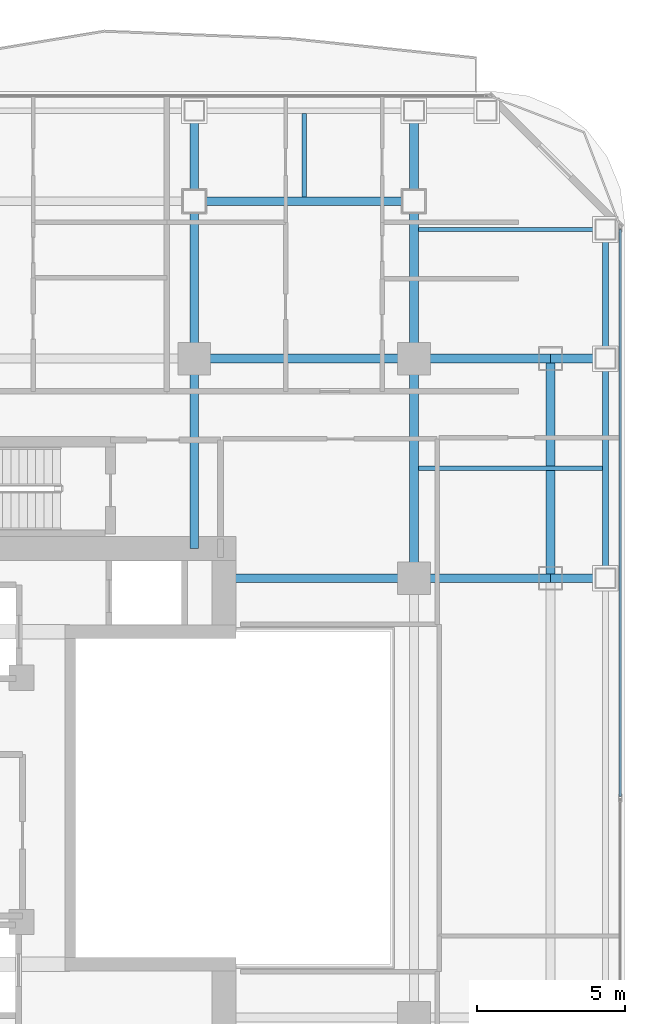
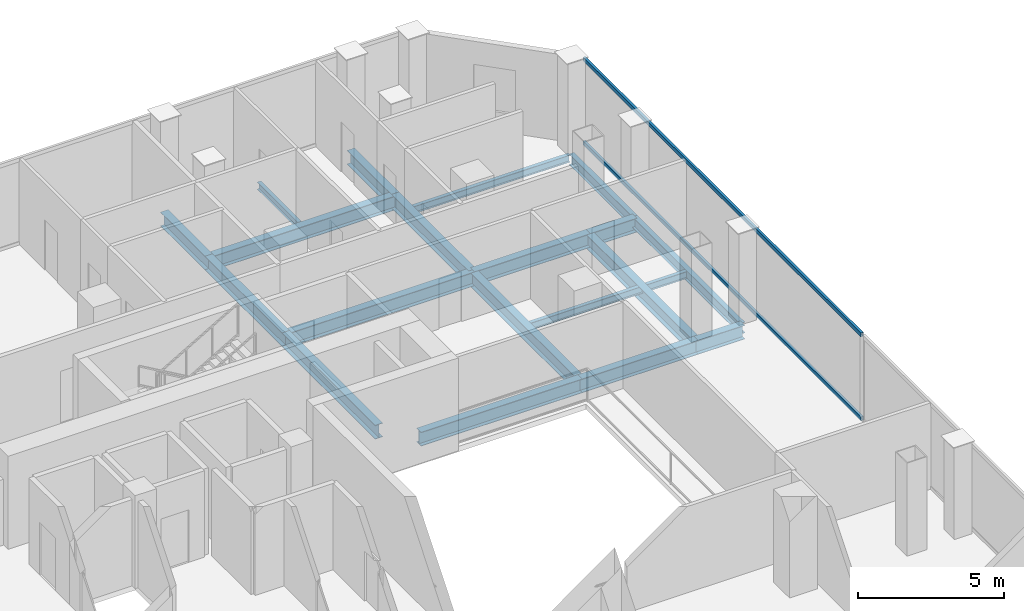
# One storey, part 15 of 26: 19 beams, 2 members, 1 element without a shape of its own.
"""IFC4 building model written with IfcOpenShell, lengths in metres."""

from ifc_helpers import new_model, si_unit, direction, frame, origin, origin_2d, place, context, subcontext, project, spatial, hollow_rectangle, i_section, extrude, material, layer, layer_set, material_profile, profile_set, type_object, element, aggregate, save


model = new_model("IFC4")

# Units and contexts
model_context = context("Model", 3, precision=1e-05, world=origin(), true_north=direction((0.0, 1.0)))
body_context = subcontext(model_context, "Body", "Model", "MODEL_VIEW")
ifc_project = project(units=[si_unit("LENGTHUNIT", "METRE"), si_unit("AREAUNIT", "SQUARE_METRE"), si_unit("VOLUMEUNIT", "CUBIC_METRE"), si_unit("PLANEANGLEUNIT", "RADIAN"), si_unit("MASSUNIT", "GRAM", prefix="KILO")], contexts=[model_context])

# Site, building, storey
site_placement = place(None, origin())
site = spatial("IfcSite", under=ifc_project, at=site_placement, CompositionType="ELEMENT")
building_placement = place(site_placement, origin())
building = spatial("IfcBuilding", under=site, at=building_placement, Name="Khorvyn Point Tower", CompositionType="ELEMENT")
storey_placement = place(building_placement, frame((0.0, 0.0, 187.5)))
storey = spatial("IfcBuildingStorey", under=building, at=storey_placement, Name="L46", CompositionType="ELEMENT", Elevation=187.5)

# Curtain wall, members
ifc_material_1 = material(Name="Anodised aluminium 6063-T6 and laminated Low-E glass", Category="aluminium")
ifc_layer = layer(ifc_material_1, 0.18994140625)
ifc_layer_set = layer_set([ifc_layer], Name="Stick-Built Acoustic Curtain Wall CW-SYS-03")
curtain_wall_type = type_object("IfcCurtainWallType", Name="Stick-Built Acoustic Curtain Wall CW-SYS-03", PredefinedType="NOTDEFINED", material=ifc_layer_set)
curtain_wall_placement = place(storey_placement, origin())
curtain_wall = element("IfcCurtainWall", 1, at=curtain_wall_placement, inside=storey, type_object=curtain_wall_type, Name="Curtain Wall", PredefinedType="NOTDEFINED")
ifc_material_2 = material(Name="Anodised aluminium 6063-T6", Category="aluminium")
ifc_material_profile_1 = material_profile(ifc_material_2, hollow_rectangle(XDim=0.10009765625, YDim=0.159912109375, WallThickness=0.00439453125, at=origin_2d()))
ifc_profile_set_1 = profile_set([ifc_material_profile_1], Name="Anodised aluminium 6063-T6 ALU-TRN-100x160")
member_type = type_object("IfcMemberType", Name="Anodised Aluminium 6063-T6 Transom ALU-TRN-100x160", PredefinedType="USERDEFINED", material=ifc_profile_set_1)
member_1_placement = place(storey_placement, frame((21.75, 19.14990234375, 0.050048828125), z_axis=(0.0, -1.0, 0.0), x_axis=(1.0, 0.0, 0.0)))
member_1 = element("IfcMember", 2, at=member_1_placement, type_object=member_type, Name="Transom", ObjectType="TRANSOM", PredefinedType="USERDEFINED", context=body_context, shape_type="SweptSolid", body=[
    extrude(hollow_rectangle(XDim=0.10009765625, YDim=0.159912109375, WallThickness=0.00439453125, at=origin_2d()), origin(), (0.0, 0.0, 1.0), 19.099853515625),
])
member_2_placement = place(storey_placement, frame((21.75, 19.14990234375, 3.570068359375), z_axis=(0.0, -1.0, 0.0), x_axis=(1.0, 0.0, 0.0)))
member_2 = element("IfcMember", 3, at=member_2_placement, type_object=member_type, Name="Transom", ObjectType="TRANSOM", PredefinedType="USERDEFINED", context=body_context, shape_type="SweptSolid", body=[
    extrude(hollow_rectangle(XDim=0.10009765625, YDim=0.159912109375, WallThickness=0.00439453125, at=origin_2d()), origin(), (0.0, 0.0, 1.0), 19.099853515625),
])
aggregate(curtain_wall, [member_1, member_2])

# Beams
ifc_material_3 = material(Name="Steel S355", Category="steel")
ifc_material_profile_2 = material_profile(ifc_material_3, i_section(OverallWidth=0.300048828125, OverallDepth=0.587890625, WebThickness=0.011962890625, FlangeThickness=0.02001953125, at=origin_2d()))
ifc_profile_set_2 = profile_set([ifc_material_profile_2], Name="Steel S355 H588x300x12x20")
beam_type_1 = type_object("IfcBeamType", Name="Steel S355 Beam H588x300x12x20", PredefinedType="BEAM", material=ifc_profile_set_2)
beam_1_placement = place(storey_placement, frame((7.39990234375, 14.800048828125, -0.513916015625), z_axis=(1.0, 0.0, 0.0), x_axis=(0.0, 1.0, 0.0)))
element("IfcBeam", 4, at=beam_1_placement, inside=storey, type_object=beam_type_1, Name="Beam", PredefinedType="BEAM", context=body_context, shape_type="SweptSolid", body=[
    extrude(i_section(OverallWidth=0.300048828125, OverallDepth=0.587890625, WebThickness=0.011962890625, FlangeThickness=0.02001953125, at=origin_2d()), origin(), (0.0, 0.0, 1.0), 7.400146484375),
])
beam_2_placement = place(storey_placement, frame((14.800048828125, 14.800048828125, -0.513916015625), z_axis=(1.0, 0.0, 0.0), x_axis=(0.0, 1.0, 0.0)))
element("IfcBeam", 5, at=beam_2_placement, inside=storey, type_object=beam_type_1, Name="Beam", PredefinedType="BEAM", context=body_context, shape_type="SweptSolid", body=[
    extrude(i_section(OverallWidth=0.300048828125, OverallDepth=0.587890625, WebThickness=0.011962890625, FlangeThickness=0.02001953125, at=origin_2d()), origin(), (0.0, 0.0, 1.0), 4.599853515625),
])
beam_3_placement = place(storey_placement, frame((19.39990234375, 14.800048828125, -0.513916015625), z_axis=(1.0, 0.0, 0.0), x_axis=(0.0, 1.0, 0.0)))
element("IfcBeam", 6, at=beam_3_placement, inside=storey, type_object=beam_type_1, Name="Beam", PredefinedType="BEAM", context=body_context, shape_type="SweptSolid", body=[
    extrude(i_section(OverallWidth=0.300048828125, OverallDepth=0.587890625, WebThickness=0.011962890625, FlangeThickness=0.02001953125, at=origin_2d()), origin(), (0.0, 0.0, 1.0), 1.85009765625),
])
beam_4_placement = place(storey_placement, frame((8.39990234375, 7.39990234375, -0.513916015625), z_axis=(1.0, 0.0, 0.0), x_axis=(0.0, 1.0, 0.0)))
element("IfcBeam", 7, at=beam_4_placement, inside=storey, type_object=beam_type_1, Name="Beam", PredefinedType="BEAM", context=body_context, shape_type="SweptSolid", body=[
    extrude(i_section(OverallWidth=0.300048828125, OverallDepth=0.587890625, WebThickness=0.011962890625, FlangeThickness=0.02001953125, at=origin_2d()), origin(), (0.0, 0.0, 1.0), 6.400146484375),
])
beam_5_placement = place(storey_placement, frame((14.800048828125, 7.39990234375, -0.513916015625), z_axis=(1.0, 0.0, 0.0), x_axis=(0.0, 1.0, 0.0)))
element("IfcBeam", 8, at=beam_5_placement, inside=storey, type_object=beam_type_1, Name="Beam", PredefinedType="BEAM", context=body_context, shape_type="SweptSolid", body=[
    extrude(i_section(OverallWidth=0.300048828125, OverallDepth=0.587890625, WebThickness=0.011962890625, FlangeThickness=0.02001953125, at=origin_2d()), origin(), (0.0, 0.0, 1.0), 4.599853515625),
])
beam_6_placement = place(storey_placement, frame((19.39990234375, 7.39990234375, -0.513916015625), z_axis=(1.0, 0.0, 0.0), x_axis=(0.0, 1.0, 0.0)))
element("IfcBeam", 9, at=beam_6_placement, inside=storey, type_object=beam_type_1, Name="Beam", PredefinedType="BEAM", context=body_context, shape_type="SweptSolid", body=[
    extrude(i_section(OverallWidth=0.300048828125, OverallDepth=0.587890625, WebThickness=0.011962890625, FlangeThickness=0.02001953125, at=origin_2d()), origin(), (0.0, 0.0, 1.0), 1.85009765625),
])
for number, where, z_axis, x_axis, name in (
    (10, (7.39990234375, 20.10009765625, -0.513916015625), (1.0, 0.0, 0.0), (0.0, 1.0, 0.0), "Beam"),
    (11, (14.800048828125, 7.39990234375, -0.513916015625), (0.0, 1.0, 0.0), (-1.0, 0.0, 0.0), "Beam"),
):
    element("IfcBeam", number, at=place(storey_placement, frame(where, z_axis=z_axis, x_axis=x_axis)), inside=storey, type_object=beam_type_1, Name=name, PredefinedType="BEAM", context=body_context, shape_type="SweptSolid", body=[
        extrude(i_section(OverallWidth=0.300048828125, OverallDepth=0.587890625, WebThickness=0.011962890625, FlangeThickness=0.02001953125, at=origin_2d()), origin(), (0.0, 0.0, 1.0), 7.400146484375),
    ])
beam_7_placement = place(storey_placement, frame((14.800048828125, 14.800048828125, -0.513916015625), z_axis=(0.0, 1.0, 0.0), x_axis=(-1.0, 0.0, 0.0)))
element("IfcBeam", 12, at=beam_7_placement, inside=storey, type_object=beam_type_1, Name="Beam", PredefinedType="BEAM", context=body_context, shape_type="SweptSolid", body=[
    extrude(i_section(OverallWidth=0.300048828125, OverallDepth=0.587890625, WebThickness=0.011962890625, FlangeThickness=0.02001953125, at=origin_2d()), origin(), (0.0, 0.0, 1.0), 5.300048828125),
])
beam_8_placement = place(storey_placement, frame((14.800048828125, 20.10009765625, -0.513916015625), z_axis=(0.0, 1.0, 0.0), x_axis=(-1.0, 0.0, 0.0)))
element("IfcBeam", 13, at=beam_8_placement, inside=storey, type_object=beam_type_1, Name="Beam", PredefinedType="BEAM", context=body_context, shape_type="SweptSolid", body=[
    extrude(i_section(OverallWidth=0.300048828125, OverallDepth=0.587890625, WebThickness=0.011962890625, FlangeThickness=0.02001953125, at=origin_2d()), origin(), (0.0, 0.0, 1.0), 3.0498046875),
])
beam_9_placement = place(storey_placement, frame((7.39990234375, 8.39990234375, -0.513916015625), z_axis=(0.0, 1.0, 0.0), x_axis=(-1.0, 0.0, 0.0)))
element("IfcBeam", 14, at=beam_9_placement, inside=storey, type_object=beam_type_1, Name="Beam", PredefinedType="BEAM", context=body_context, shape_type="SweptSolid", body=[
    extrude(i_section(OverallWidth=0.300048828125, OverallDepth=0.587890625, WebThickness=0.011962890625, FlangeThickness=0.02001953125, at=origin_2d()), origin(), (0.0, 0.0, 1.0), 6.400146484375),
])
beam_10_placement = place(storey_placement, frame((7.39990234375, 14.800048828125, -0.513916015625), z_axis=(0.0, 1.0, 0.0), x_axis=(-1.0, 0.0, 0.0)))
element("IfcBeam", 15, at=beam_10_placement, inside=storey, type_object=beam_type_1, Name="Beam", PredefinedType="BEAM", context=body_context, shape_type="SweptSolid", body=[
    extrude(i_section(OverallWidth=0.300048828125, OverallDepth=0.587890625, WebThickness=0.011962890625, FlangeThickness=0.02001953125, at=origin_2d()), origin(), (0.0, 0.0, 1.0), 5.300048828125),
])
beam_11_placement = place(storey_placement, frame((7.39990234375, 20.10009765625, -0.513916015625), z_axis=(0.0, 1.0, 0.0), x_axis=(-1.0, 0.0, 0.0)))
element("IfcBeam", 16, at=beam_11_placement, inside=storey, type_object=beam_type_1, Name="Beam", PredefinedType="BEAM", context=body_context, shape_type="SweptSolid", body=[
    extrude(i_section(OverallWidth=0.300048828125, OverallDepth=0.587890625, WebThickness=0.011962890625, FlangeThickness=0.02001953125, at=origin_2d()), origin(), (0.0, 0.0, 1.0), 3.0498046875),
])
beam_12_placement = place(storey_placement, frame((19.39990234375, 7.39990234375, -0.513916015625), z_axis=(0.0, 1.0, 0.0), x_axis=(-1.0, 0.0, 0.0)))
element("IfcBeam", 17, at=beam_12_placement, inside=storey, type_object=beam_type_1, Name="Beam", PredefinedType="BEAM", context=body_context, shape_type="SweptSolid", body=[
    extrude(i_section(OverallWidth=0.300048828125, OverallDepth=0.587890625, WebThickness=0.011962890625, FlangeThickness=0.02001953125, at=origin_2d()), origin(), (0.0, 0.0, 1.0), 7.400146484375),
])
ifc_material_profile_3 = material_profile(ifc_material_3, i_section(OverallWidth=0.14990234375, OverallDepth=0.300048828125, WebThickness=0.006591796875, FlangeThickness=0.009033203125, at=origin_2d()))
ifc_profile_set_3 = profile_set([ifc_material_profile_3], Name="Steel S355 H300x150x6.5x9")
beam_type_2 = type_object("IfcBeamType", Name="Steel S355 Joist H300x150x6.5x9", PredefinedType="JOIST", material=ifc_profile_set_3)
beam_13_placement = place(storey_placement, frame((14.949951171875, 11.10009765625, -0.3701171875), z_axis=(1.0, 0.0, 0.0), x_axis=(0.0, 1.0, 0.0)))
element("IfcBeam", 18, at=beam_13_placement, inside=storey, type_object=beam_type_2, Name="Beam", PredefinedType="JOIST", context=body_context, shape_type="SweptSolid", body=[
    extrude(i_section(OverallWidth=0.14990234375, OverallDepth=0.300048828125, WebThickness=0.006591796875, FlangeThickness=0.009033203125, at=origin_2d()), origin(), (0.0, 0.0, 1.0), 6.199951171875),
])
beam_14_placement = place(storey_placement, frame((11.10009765625, 20.25, -0.3701171875), z_axis=(0.0, 1.0, 0.0), x_axis=(-1.0, 0.0, 0.0)))
element("IfcBeam", 19, at=beam_14_placement, inside=storey, type_object=beam_type_2, Name="Beam", PredefinedType="JOIST", context=body_context, shape_type="SweptSolid", body=[
    extrude(i_section(OverallWidth=0.14990234375, OverallDepth=0.300048828125, WebThickness=0.006591796875, FlangeThickness=0.009033203125, at=origin_2d()), origin(), (0.0, 0.0, 1.0), 2.800048828125),
])
beam_15_placement = place(storey_placement, frame((14.949951171875, 19.14990234375, -0.3701171875), z_axis=(1.0, 0.0, 0.0), x_axis=(0.0, 1.0, 0.0)))
element("IfcBeam", 20, at=beam_15_placement, inside=storey, type_object=beam_type_2, Name="Beam", PredefinedType="JOIST", context=body_context, shape_type="SweptSolid", body=[
    extrude(i_section(OverallWidth=0.14990234375, OverallDepth=0.300048828125, WebThickness=0.006591796875, FlangeThickness=0.009033203125, at=origin_2d()), origin(), (0.0, 0.0, 1.0), 6.199951171875),
])
ifc_material_profile_4 = material_profile(ifc_material_3, i_section(OverallWidth=0.199951171875, OverallDepth=0.449951171875, WebThickness=0.009033203125, FlangeThickness=0.013916015625, at=origin_2d()))
ifc_profile_set_4 = profile_set([ifc_material_profile_4], Name="Steel S355 H450x200x9x14")
beam_type_3 = type_object("IfcBeamType", Name="Steel S355 Spandrel H450x200x9x14", PredefinedType="SPANDREL", material=ifc_profile_set_4)
beam_16_placement = place(storey_placement, frame((21.25, 7.39990234375, -0.445068359375), z_axis=(0.0, 1.0, 0.0), x_axis=(-1.0, 0.0, 0.0)))
element("IfcBeam", 21, at=beam_16_placement, inside=storey, type_object=beam_type_3, Name="Beam", PredefinedType="SPANDREL", context=body_context, shape_type="SweptSolid", body=[
    extrude(i_section(OverallWidth=0.199951171875, OverallDepth=0.449951171875, WebThickness=0.009033203125, FlangeThickness=0.013916015625, at=origin_2d()), origin(), (0.0, 0.0, 1.0), 7.400146484375),
])
beam_17_placement = place(storey_placement, frame((21.25, 14.800048828125, -0.445068359375), z_axis=(0.0, 1.0, 0.0), x_axis=(-1.0, 0.0, 0.0)))
element("IfcBeam", 22, at=beam_17_placement, inside=storey, type_object=beam_type_3, Name="Beam", PredefinedType="SPANDREL", context=body_context, shape_type="SweptSolid", body=[
    extrude(i_section(OverallWidth=0.199951171875, OverallDepth=0.449951171875, WebThickness=0.009033203125, FlangeThickness=0.013916015625, at=origin_2d()), origin(), (0.0, 0.0, 1.0), 4.349853515625),
])

save(model, "model.ifc")
